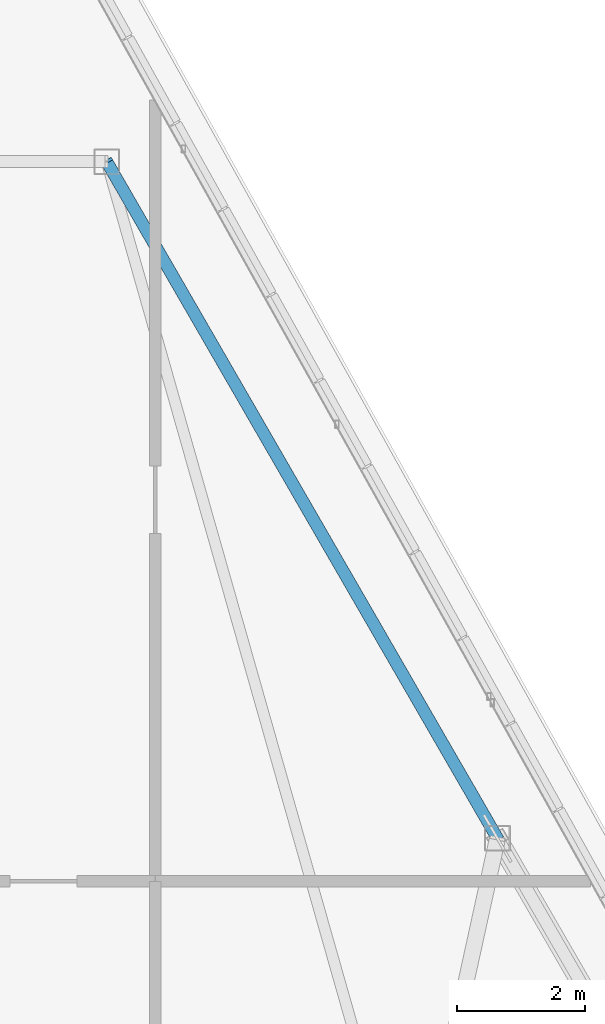
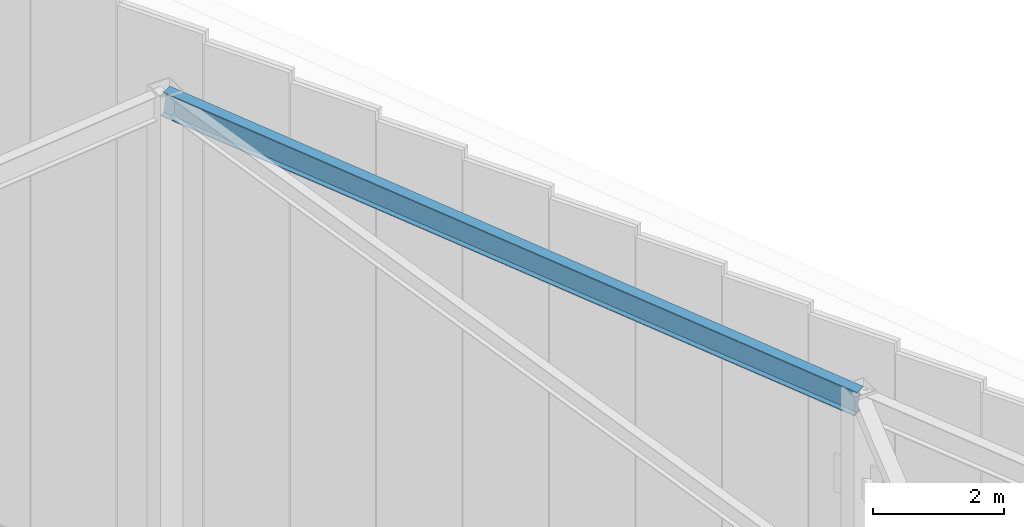
# One storey, part 39 of 50: 1 beam.
"""IFC4 building model written with IfcOpenShell, lengths in metres."""

from ifc_helpers import new_model, si_unit, direction, frame, origin, origin_2d, place, context, subcontext, project, spatial, i_section, extrude, source, transform, mapped, material, material_profile, profile_set, type_object, type_shapes, element, save


model = new_model("IFC4")

# Units and contexts
model_context = context("Model", 3, precision=1e-05, world=origin(), true_north=direction((0.0, 1.0)))
body_context = subcontext(model_context, "Body", "Model", "MODEL_VIEW")
ifc_project = project(units=[si_unit("LENGTHUNIT", "METRE"), si_unit("AREAUNIT", "SQUARE_METRE"), si_unit("VOLUMEUNIT", "CUBIC_METRE"), si_unit("PLANEANGLEUNIT", "RADIAN"), si_unit("MASSUNIT", "GRAM", prefix="KILO")], contexts=[model_context])

# Site, building, storey
site_placement = place(None, origin())
site = spatial("IfcSite", under=ifc_project, at=site_placement, CompositionType="ELEMENT")
building_placement = place(site_placement, origin())
building = spatial("IfcBuilding", under=site, at=building_placement, Name="Caelisora Broadcast Tower", CompositionType="ELEMENT")
storey_placement = place(building_placement, frame((0.0, 0.0, 303.39990234375)))
storey = spatial("IfcBuildingStorey", under=building, at=storey_placement, Name="L80", CompositionType="ELEMENT", Elevation=303.39990234375)

# Beam
ifc_material = material(Name="Steel Grade 350 (AS/NZS 3679.1)", Category="steel")
ifc_material_profile = material_profile(ifc_material, i_section(OverallWidth=0.19091796875, OverallDepth=0.46044921875, WebThickness=0.010009765625, FlangeThickness=0.01611328125, at=origin_2d()), Name="Steel Grade 350 (AS/NZS 3679.1)")
ifc_profile_set = profile_set([ifc_material_profile], Name="Steel Grade 350 (AS/NZS 3679.1)")
beam_type = type_object("IfcBeamType", Name="RB01", PredefinedType="USERDEFINED", material=ifc_profile_set)
shared_shape = source(origin(), body_context, "Body", "SweptSolid", [
    extrude(i_section(OverallWidth=0.19091796875, OverallDepth=0.46044921875, WebThickness=0.010009765625, FlangeThickness=0.01611328125, at=origin_2d()), origin(), (0.0, 0.0, 1.0), 12.2958984375),
])
type_shapes(beam_type, [shared_shape])
beam_placement = place(storey_placement, frame((46.8515625, 36.168701171875, 11.95556640625), z_axis=(-0.497142000625, 0.861053598495, 0.106941721199), x_axis=(-0.866019971289, -0.500009409241, 0.0)))
element("IfcBeam", 1, at=beam_placement, inside=storey, type_object=beam_type, Name="L80 beam RB01", ObjectType="RAFTER", PredefinedType="USERDEFINED", context=body_context, shape_type="MappedRepresentation", body=[
    mapped(shared_shape, transform((0.0, 0.0, 0.0), scale=1.0)),
])

save(model, "model.ifc")
